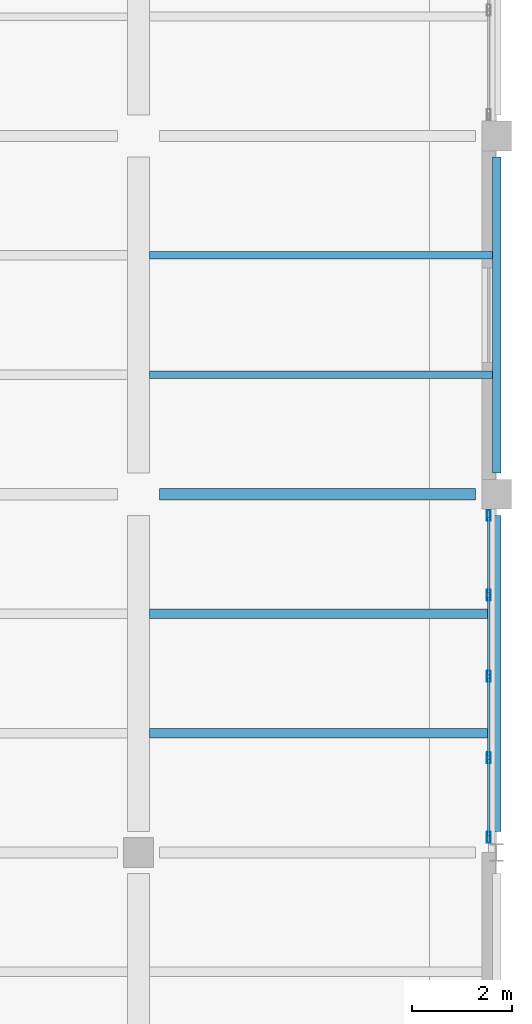
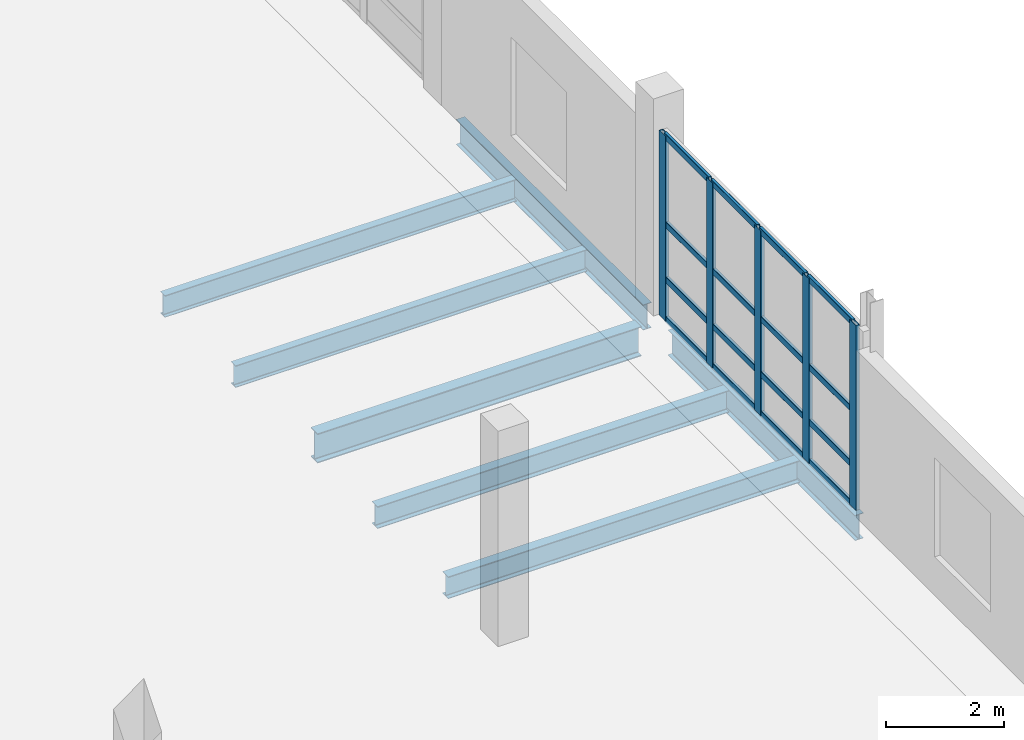
# One storey, part 63 of 123: 21 members, 7 beams, 1 element without a shape of its own.
"""IFC4 building model written with IfcOpenShell, lengths in metres."""

import ifcopenshell
import ifcopenshell.guid

model = None  # the IFC model being written
_history = None  # IfcOwnerHistory: only IFC2X3 demands one
_inside = {}  # id of a spatial element -> (the spatial element, [elements in it])
_under = {}  # id of a project, library or spatial element -> (it, [spatial elements below it])
_declared = {}  # id of a project -> (the project, [libraries it declares])
_typed = {}  # id of a type object -> (the type object, [elements of that type])
_made_of = {}  # id of a material, layer set ... -> (it, [elements and type objects made of it])


def new_model(schema):
    """Start an empty IFC model of exactly this schema.

    Asked for "IFC4X3", IfcOpenShell would pick the latest addendum, in which some entities
    have other attributes; the version numbers below select the first issue.
    IFC2X3 requires an IfcOwnerHistory on every rooted entity: one is made here for all.
    """
    global model, _history
    if schema == "IFC4X3":
        model = ifcopenshell.file(schema_version=(4, 3, 0, 0))
    else:
        model = ifcopenshell.file(schema=schema)
    _inside.clear()
    _under.clear()
    _declared.clear()
    _typed.clear()
    _made_of.clear()
    _history = None
    if model.schema == "IFC2X3":
        org = make("IfcOrganization", Name="unknown")
        user = make(
            "IfcPersonAndOrganization",
            ThePerson=make("IfcPerson", FamilyName="unknown"),
            TheOrganization=org,
        )
        app = make(
            "IfcApplication",
            ApplicationDeveloper=org,
            Version="unknown",
            ApplicationFullName="unknown",
            ApplicationIdentifier="unknown",
        )
        _history = make(
            "IfcOwnerHistory",
            OwningUser=user,
            OwningApplication=app,
            ChangeAction="ADDED",
            CreationDate=0,
        )
    return model


def make(cls, **values):
    """One entity of the class cls with the attributes given. An attribute that is None is left unset."""
    return model.create_entity(
        cls, **{name: value for name, value in values.items() if value is not None}
    )


def rooted(cls, **values):
    """An entity with a GlobalId (a new one), such as an element, a storey or a relation."""
    return make(cls, GlobalId=ifcopenshell.guid.new(), OwnerHistory=_history, **values)


def si_unit(unit_type, name, prefix=None):
    """IfcSIUnit, for example si_unit("LENGTHUNIT", "METRE", prefix="MILLI")."""
    return make("IfcSIUnit", UnitType=unit_type, Prefix=prefix, Name=name)


def assignment(units):
    """IfcUnitAssignment: the units of a project."""
    return None if units is None else make("IfcUnitAssignment", Units=units)


def point(xyz):
    """IfcCartesianPoint."""
    return None if xyz is None else make("IfcCartesianPoint", Coordinates=xyz)


def direction(xyz):
    """IfcDirection."""
    return None if xyz is None else make("IfcDirection", DirectionRatios=xyz)


def frame(location, z_axis=None, x_axis=None):
    """IfcAxis2Placement3D, a coordinate frame: its origin and axes. An axis left out is left unset."""
    return make(
        "IfcAxis2Placement3D",
        Location=point(location),
        Axis=direction(z_axis),
        RefDirection=direction(x_axis),
    )


def frame_2d(location, x_axis=None):
    """IfcAxis2Placement2D, a coordinate frame in the plane: its origin and x axis."""
    return make(
        "IfcAxis2Placement2D", Location=point(location), RefDirection=direction(x_axis)
    )


def origin():
    """The frame at (0, 0, 0) with its axes left unset."""
    return frame((0.0, 0.0, 0.0))


def origin_2d():
    """The frame at (0, 0) in the plane with its x axis left unset."""
    return frame_2d((0.0, 0.0))


def place(relative_to, where):
    """IfcLocalPlacement: puts the frame where relative to a parent placement (None: the world)."""
    return make(
        "IfcLocalPlacement", PlacementRelTo=relative_to, RelativePlacement=where
    )


def context(
    kind, dimensions, precision=None, world=None, true_north=None, identifier=None
):
    """IfcGeometricRepresentationContext, for example the 3D "Model" context."""
    return make(
        "IfcGeometricRepresentationContext",
        ContextIdentifier=identifier,
        ContextType=kind,
        CoordinateSpaceDimension=dimensions,
        Precision=precision,
        WorldCoordinateSystem=world,
        TrueNorth=true_north,
    )


def subcontext(parent, identifier, kind, view, scale=None):
    """IfcGeometricRepresentationSubContext, for example "Body" below "Model"."""
    return make(
        "IfcGeometricRepresentationSubContext",
        ContextIdentifier=identifier,
        ContextType=kind,
        ParentContext=parent,
        TargetScale=scale,
        TargetView=view,
    )


def project(units=None, contexts=None):
    """IfcProject with its units and contexts."""
    return rooted(
        "IfcProject",
        Name="project",
        RepresentationContexts=contexts,
        UnitsInContext=assignment(units),
    )


def spatial(cls, under=None, at=None, **own):
    """A site, building, storey or space (cls), placed at a placement, below another one or the project."""
    s = rooted(cls, ObjectPlacement=at, **own)
    if under is not None:
        _under.setdefault(under.id(), (under, []))[1].append(s)
    return s


def profile(cls, at=None, kind="AREA", **sizes):
    """A parametric profile (cls). Its sizes go by their IFC names, for example OverallWidth=200.0."""
    return make(cls, ProfileType=kind, Position=at, **sizes)


def hollow_rectangle(**sizes):
    """IfcRectangleHollowProfileDef."""
    return profile("IfcRectangleHollowProfileDef", **sizes)


def i_section(**sizes):
    """IfcIShapeProfileDef."""
    return profile("IfcIShapeProfileDef", **sizes)


def extrude(swept, where, along, depth):
    """IfcExtrudedAreaSolid: the profile swept, set in the frame where, extruded along a direction by depth."""
    return make(
        "IfcExtrudedAreaSolid",
        SweptArea=swept,
        Position=where,
        ExtrudedDirection=direction(along),
        Depth=depth,
    )


def shape(context_of_items, identifier, shape_type, items):
    """IfcShapeRepresentation: the items that make up one representation, for example the "Body"."""
    return make(
        "IfcShapeRepresentation",
        ContextOfItems=context_of_items,
        RepresentationIdentifier=identifier,
        RepresentationType=shape_type,
        Items=items,
    )


def material(Name=None, Category=None):
    """IfcMaterial."""
    return make("IfcMaterial", Name=Name, Category=Category)


def material_profile(
    of_material, cross_section, Name=None, Category=None, Priority=None
):
    """IfcMaterialProfile: a cross section and its material."""
    return make(
        "IfcMaterialProfile",
        Name=Name,
        Material=of_material,
        Profile=cross_section,
        Priority=Priority,
        Category=Category,
    )


def profile_set(profiles, Name=None, composite=None):
    """IfcMaterialProfileSet."""
    return make(
        "IfcMaterialProfileSet",
        Name=Name,
        MaterialProfiles=profiles,
        CompositeProfile=composite,
    )


def made_of(thing, what):
    """Note that an element or type object is made of a material, layer set ...; save() writes the relation."""
    if what is not None:
        _made_of.setdefault(what.id(), (what, []))[1].append(thing)
    return thing


def type_object(cls, material=None, **own):
    """A type object (cls), such as IfcWallType, which elements share."""
    return made_of(rooted(cls, **own), material)


def element(
    cls,
    number,
    at=None,
    inside=None,
    cuts=None,
    type_object=None,
    material=None,
    context=None,
    identifier="Body",
    shape_type=None,
    held_by="IfcProductDefinitionShape",
    body=None,
    shapes=None,
    **own,
):
    """One element of the class cls, such as IfcWall. Its Tag is "e" and its number.

    at: its placement. inside: the storey or other place that contains it. cuts: it is an
    opening in that element (IfcRelVoidsElement). A single representation is given by context,
    identifier, shape_type and body (its items); several are given by shapes. held_by: the class
    of the entity that holds the representations. save() writes the other relations.
    """
    e = rooted(cls, Tag="e%d" % number, ObjectPlacement=at, **own)
    if body is not None:
        shapes = [shape(context, identifier, shape_type, body)]
    if shapes is not None:
        e.Representation = make(held_by, Representations=shapes)
    if inside is not None:
        _inside.setdefault(inside.id(), (inside, []))[1].append(e)
    if cuts is not None:
        rooted(
            "IfcRelVoidsElement", RelatingBuildingElement=cuts, RelatedOpeningElement=e
        )
    if type_object is not None:
        _typed.setdefault(type_object.id(), (type_object, []))[1].append(e)
    return made_of(e, material)


def aggregate(whole, parts):
    """IfcRelAggregates: a whole, such as a stair, and the parts it consists of."""
    return rooted("IfcRelAggregates", RelatingObject=whole, RelatedObjects=parts)


def save(model, path):
    """Write the relations noted so far, then the file.

    IfcRelAggregates (storeys below a building ...), IfcRelContainedInSpatialStructure (elements
    in a storey), IfcRelDefinesByType, IfcRelAssociatesMaterial and IfcRelDeclares: one each for
    every whole, place, type object, material and project.
    """
    for whole, parts in _under.values():
        aggregate(whole, parts)
    for where, things in _inside.values():
        rooted(
            "IfcRelContainedInSpatialStructure",
            RelatedElements=things,
            RelatingStructure=where,
        )
    for kind, things in _typed.values():
        rooted("IfcRelDefinesByType", RelatedObjects=things, RelatingType=kind)
    for what, things in _made_of.values():
        rooted("IfcRelAssociatesMaterial", RelatedObjects=things, RelatingMaterial=what)
    for by, libraries in _declared.values():
        rooted("IfcRelDeclares", RelatingContext=by, RelatedDefinitions=libraries)
    model.write(path)


model = new_model("IFC4")

# Units and contexts
model_context = context("Model", 3, precision=1e-05, world=origin(), true_north=direction((0.0, 1.0)))
body_context = subcontext(model_context, "Body", "Model", "MODEL_VIEW")
ifc_project = project(units=[si_unit("LENGTHUNIT", "METRE"), si_unit("AREAUNIT", "SQUARE_METRE"), si_unit("VOLUMEUNIT", "CUBIC_METRE"), si_unit("PLANEANGLEUNIT", "RADIAN"), si_unit("MASSUNIT", "GRAM", prefix="KILO")], contexts=[model_context])

# Site, building, storey
site_placement = place(None, origin())
site = spatial("IfcSite", under=ifc_project, at=site_placement, CompositionType="ELEMENT")
building_placement = place(site_placement, origin())
building = spatial("IfcBuilding", under=site, at=building_placement, Name="Kalmorath City Hall", CompositionType="ELEMENT")
storey_placement = place(building_placement, frame((0.0, 0.0, 10.199951171875)))
storey = spatial("IfcBuildingStorey", under=building, at=storey_placement, Name="L02", CompositionType="ELEMENT", Elevation=10.199951171875)

# Curtain wall, members
ifc_material_1 = material(Name="Anodised aluminium and laminated glass", Category="aluminium")
curtain_wall_type = type_object("IfcCurtainWallType", Name="Unitised hurricane curtain wall 6544x3835 M1850", PredefinedType="NOTDEFINED", material=ifc_material_1)
curtain_wall_placement = place(storey_placement, origin())
curtain_wall = element("IfcCurtainWall", 1, at=curtain_wall_placement, inside=storey, type_object=curtain_wall_type, Name="L02 curtain wall CW-65X38M18 #120", PredefinedType="NOTDEFINED")
ifc_material_2 = material(Name="Anodised aluminium framing", Category="aluminium")
ifc_material_profile_1 = material_profile(ifc_material_2, hollow_rectangle(XDim=0.06005859375, YDim=0.1298828125, WallThickness=0.00341796875, InnerFilletRadius=0.00341796875, OuterFilletRadius=0.007080078125, at=origin_2d()), Name="ALU-TRN-130X60X3.5")
ifc_profile_set_1 = profile_set([ifc_material_profile_1], Name="Anodised aluminium framing")
member_type_1 = type_object("IfcMemberType", Name="Curtain-wall courtyard transom 130x60", PredefinedType="USERDEFINED", material=ifc_profile_set_1)
member_1_placement = place(storey_placement, frame((165.43994140625, 57.135009765625, 0.030029296875), z_axis=(0.0, -1.0, 0.0), x_axis=(1.0, 0.0, 0.0)))
member_1 = element("IfcMember", 2, at=member_1_placement, type_object=member_type_1, Name="CW-65X38M18 transom 1.1", ObjectType="TRANSOM", PredefinedType="USERDEFINED", context=body_context, shape_type="SweptSolid", body=[
    extrude(hollow_rectangle(XDim=0.06005859375, YDim=0.1298828125, WallThickness=0.00341796875, InnerFilletRadius=0.00341796875, OuterFilletRadius=0.007080078125, at=origin_2d()), origin(), (0.0, 0.0, 1.0), 1.5234375),
])
member_2_placement = place(storey_placement, frame((165.43994140625, 57.135009765625, 0.85009765625), z_axis=(0.0, -1.0, 0.0), x_axis=(1.0, 0.0, 0.0)))
member_2 = element("IfcMember", 3, at=member_2_placement, type_object=member_type_1, Name="CW-65X38M18 transom 1.2", ObjectType="TRANSOM", PredefinedType="USERDEFINED", context=body_context, shape_type="SweptSolid", body=[
    extrude(hollow_rectangle(XDim=0.06005859375, YDim=0.1298828125, WallThickness=0.00341796875, InnerFilletRadius=0.00341796875, OuterFilletRadius=0.007080078125, at=origin_2d()), origin(), (0.0, 0.0, 1.0), 1.5234375),
])
member_3_placement = place(storey_placement, frame((165.43994140625, 57.135009765625, 1.994140625), z_axis=(0.0, -1.0, 0.0), x_axis=(1.0, 0.0, 0.0)))
member_3 = element("IfcMember", 4, at=member_3_placement, type_object=member_type_1, Name="CW-65X38M18 transom 1.3", ObjectType="TRANSOM", PredefinedType="USERDEFINED", context=body_context, shape_type="SweptSolid", body=[
    extrude(hollow_rectangle(XDim=0.06005859375, YDim=0.1298828125, WallThickness=0.00341796875, InnerFilletRadius=0.00341796875, OuterFilletRadius=0.007080078125, at=origin_2d()), origin(), (0.0, 0.0, 1.0), 1.5234375),
])
member_4_placement = place(storey_placement, frame((165.43994140625, 57.135009765625, 3.804931640625), z_axis=(0.0, -1.0, 0.0), x_axis=(1.0, 0.0, 0.0)))
member_4 = element("IfcMember", 5, at=member_4_placement, type_object=member_type_1, Name="CW-65X38M18 transom 1.4", ObjectType="TRANSOM", PredefinedType="USERDEFINED", context=body_context, shape_type="SweptSolid", body=[
    extrude(hollow_rectangle(XDim=0.06005859375, YDim=0.1298828125, WallThickness=0.00341796875, InnerFilletRadius=0.00341796875, OuterFilletRadius=0.007080078125, at=origin_2d()), origin(), (0.0, 0.0, 1.0), 1.5234375),
])
member_5_placement = place(storey_placement, frame((165.43994140625, 55.53662109375, 0.030029296875), z_axis=(0.0, -1.0, 0.0), x_axis=(1.0, 0.0, 0.0)))
member_5 = element("IfcMember", 6, at=member_5_placement, type_object=member_type_1, Name="CW-65X38M18 transom 2.1", ObjectType="TRANSOM", PredefinedType="USERDEFINED", context=body_context, shape_type="SweptSolid", body=[
    extrude(hollow_rectangle(XDim=0.06005859375, YDim=0.1298828125, WallThickness=0.00341796875, InnerFilletRadius=0.00341796875, OuterFilletRadius=0.007080078125, at=origin_2d()), origin(), (0.0, 0.0, 1.0), 1.560791015625),
])
member_6_placement = place(storey_placement, frame((165.43994140625, 55.53662109375, 0.85009765625), z_axis=(0.0, -1.0, 0.0), x_axis=(1.0, 0.0, 0.0)))
member_6 = element("IfcMember", 7, at=member_6_placement, type_object=member_type_1, Name="CW-65X38M18 transom 2.2", ObjectType="TRANSOM", PredefinedType="USERDEFINED", context=body_context, shape_type="SweptSolid", body=[
    extrude(hollow_rectangle(XDim=0.06005859375, YDim=0.1298828125, WallThickness=0.00341796875, InnerFilletRadius=0.00341796875, OuterFilletRadius=0.007080078125, at=origin_2d()), origin(), (0.0, 0.0, 1.0), 1.560791015625),
])
member_7_placement = place(storey_placement, frame((165.43994140625, 55.53662109375, 1.994140625), z_axis=(0.0, -1.0, 0.0), x_axis=(1.0, 0.0, 0.0)))
member_7 = element("IfcMember", 8, at=member_7_placement, type_object=member_type_1, Name="CW-65X38M18 transom 2.3", ObjectType="TRANSOM", PredefinedType="USERDEFINED", context=body_context, shape_type="SweptSolid", body=[
    extrude(hollow_rectangle(XDim=0.06005859375, YDim=0.1298828125, WallThickness=0.00341796875, InnerFilletRadius=0.00341796875, OuterFilletRadius=0.007080078125, at=origin_2d()), origin(), (0.0, 0.0, 1.0), 1.560791015625),
])
member_8_placement = place(storey_placement, frame((165.43994140625, 55.53662109375, 3.804931640625), z_axis=(0.0, -1.0, 0.0), x_axis=(1.0, 0.0, 0.0)))
member_8 = element("IfcMember", 9, at=member_8_placement, type_object=member_type_1, Name="CW-65X38M18 transom 2.4", ObjectType="TRANSOM", PredefinedType="USERDEFINED", context=body_context, shape_type="SweptSolid", body=[
    extrude(hollow_rectangle(XDim=0.06005859375, YDim=0.1298828125, WallThickness=0.00341796875, InnerFilletRadius=0.00341796875, OuterFilletRadius=0.007080078125, at=origin_2d()), origin(), (0.0, 0.0, 1.0), 1.560791015625),
])
member_9_placement = place(storey_placement, frame((165.43994140625, 53.900634765625, 0.030029296875), z_axis=(0.0, -1.0, 0.0), x_axis=(1.0, 0.0, 0.0)))
member_9 = element("IfcMember", 10, at=member_9_placement, type_object=member_type_1, Name="CW-65X38M18 transom 3.1", ObjectType="TRANSOM", PredefinedType="USERDEFINED", context=body_context, shape_type="SweptSolid", body=[
    extrude(hollow_rectangle(XDim=0.06005859375, YDim=0.1298828125, WallThickness=0.00341796875, InnerFilletRadius=0.00341796875, OuterFilletRadius=0.007080078125, at=origin_2d()), origin(), (0.0, 0.0, 1.0), 1.560791015625),
])
member_10_placement = place(storey_placement, frame((165.43994140625, 53.900634765625, 0.85009765625), z_axis=(0.0, -1.0, 0.0), x_axis=(1.0, 0.0, 0.0)))
member_10 = element("IfcMember", 11, at=member_10_placement, type_object=member_type_1, Name="CW-65X38M18 transom 3.2", ObjectType="TRANSOM", PredefinedType="USERDEFINED", context=body_context, shape_type="SweptSolid", body=[
    extrude(hollow_rectangle(XDim=0.06005859375, YDim=0.1298828125, WallThickness=0.00341796875, InnerFilletRadius=0.00341796875, OuterFilletRadius=0.007080078125, at=origin_2d()), origin(), (0.0, 0.0, 1.0), 1.560791015625),
])
member_11_placement = place(storey_placement, frame((165.43994140625, 53.900634765625, 1.994140625), z_axis=(0.0, -1.0, 0.0), x_axis=(1.0, 0.0, 0.0)))
member_11 = element("IfcMember", 12, at=member_11_placement, type_object=member_type_1, Name="CW-65X38M18 transom 3.3", ObjectType="TRANSOM", PredefinedType="USERDEFINED", context=body_context, shape_type="SweptSolid", body=[
    extrude(hollow_rectangle(XDim=0.06005859375, YDim=0.1298828125, WallThickness=0.00341796875, InnerFilletRadius=0.00341796875, OuterFilletRadius=0.007080078125, at=origin_2d()), origin(), (0.0, 0.0, 1.0), 1.560791015625),
])
member_12_placement = place(storey_placement, frame((165.43994140625, 53.900634765625, 3.804931640625), z_axis=(0.0, -1.0, 0.0), x_axis=(1.0, 0.0, 0.0)))
member_12 = element("IfcMember", 13, at=member_12_placement, type_object=member_type_1, Name="CW-65X38M18 transom 3.4", ObjectType="TRANSOM", PredefinedType="USERDEFINED", context=body_context, shape_type="SweptSolid", body=[
    extrude(hollow_rectangle(XDim=0.06005859375, YDim=0.1298828125, WallThickness=0.00341796875, InnerFilletRadius=0.00341796875, OuterFilletRadius=0.007080078125, at=origin_2d()), origin(), (0.0, 0.0, 1.0), 1.560791015625),
])
member_13_placement = place(storey_placement, frame((165.43994140625, 52.264892578125, 0.030029296875), z_axis=(0.0, -1.0, 0.0), x_axis=(1.0, 0.0, 0.0)))
member_13 = element("IfcMember", 14, at=member_13_placement, type_object=member_type_1, Name="CW-65X38M18 transom 4.1", ObjectType="TRANSOM", PredefinedType="USERDEFINED", context=body_context, shape_type="SweptSolid", body=[
    extrude(hollow_rectangle(XDim=0.06005859375, YDim=0.1298828125, WallThickness=0.00341796875, InnerFilletRadius=0.00341796875, OuterFilletRadius=0.007080078125, at=origin_2d()), origin(), (0.0, 0.0, 1.0), 1.5234375),
])
member_14_placement = place(storey_placement, frame((165.43994140625, 52.264892578125, 0.85009765625), z_axis=(0.0, -1.0, 0.0), x_axis=(1.0, 0.0, 0.0)))
member_14 = element("IfcMember", 15, at=member_14_placement, type_object=member_type_1, Name="CW-65X38M18 transom 4.2", ObjectType="TRANSOM", PredefinedType="USERDEFINED", context=body_context, shape_type="SweptSolid", body=[
    extrude(hollow_rectangle(XDim=0.06005859375, YDim=0.1298828125, WallThickness=0.00341796875, InnerFilletRadius=0.00341796875, OuterFilletRadius=0.007080078125, at=origin_2d()), origin(), (0.0, 0.0, 1.0), 1.5234375),
])
member_15_placement = place(storey_placement, frame((165.43994140625, 52.264892578125, 1.994140625), z_axis=(0.0, -1.0, 0.0), x_axis=(1.0, 0.0, 0.0)))
member_15 = element("IfcMember", 16, at=member_15_placement, type_object=member_type_1, Name="CW-65X38M18 transom 4.3", ObjectType="TRANSOM", PredefinedType="USERDEFINED", context=body_context, shape_type="SweptSolid", body=[
    extrude(hollow_rectangle(XDim=0.06005859375, YDim=0.1298828125, WallThickness=0.00341796875, InnerFilletRadius=0.00341796875, OuterFilletRadius=0.007080078125, at=origin_2d()), origin(), (0.0, 0.0, 1.0), 1.5234375),
])
member_16_placement = place(storey_placement, frame((165.43994140625, 52.264892578125, 3.804931640625), z_axis=(0.0, -1.0, 0.0), x_axis=(1.0, 0.0, 0.0)))
member_16 = element("IfcMember", 17, at=member_16_placement, type_object=member_type_1, Name="CW-65X38M18 transom 4.4", ObjectType="TRANSOM", PredefinedType="USERDEFINED", context=body_context, shape_type="SweptSolid", body=[
    extrude(hollow_rectangle(XDim=0.06005859375, YDim=0.1298828125, WallThickness=0.00341796875, InnerFilletRadius=0.00341796875, OuterFilletRadius=0.007080078125, at=origin_2d()), origin(), (0.0, 0.0, 1.0), 1.5234375),
])
ifc_material_3 = material(Name="Anodised aluminium framing", Category="aluminium")
ifc_material_profile_2 = material_profile(ifc_material_3, hollow_rectangle(XDim=0.074951171875, YDim=0.219970703125, WallThickness=0.00390625, InnerFilletRadius=0.00390625, OuterFilletRadius=0.008056640625, at=origin_2d()), Name="ALU-MUL-220X75X4")
ifc_profile_set_2 = profile_set([ifc_material_profile_2], Name="Anodised aluminium framing")
member_type_2 = type_object("IfcMemberType", Name="Curtain-wall primary mullion 220x75", PredefinedType="MULLION", material=ifc_profile_set_2)
member_17_placement = place(storey_placement, frame((165.43994140625, 57.172607421875, 0.0), z_axis=(0.0, 0.0, 1.0), x_axis=(1.0, 0.0, 0.0)))
member_17 = element("IfcMember", 18, at=member_17_placement, type_object=member_type_2, Name="CW-65X38M18 mullion 1", PredefinedType="MULLION", context=body_context, shape_type="SweptSolid", body=[
    extrude(hollow_rectangle(XDim=0.074951171875, YDim=0.219970703125, WallThickness=0.00390625, InnerFilletRadius=0.00390625, OuterFilletRadius=0.008056640625, at=origin_2d()), origin(), (0.0, 0.0, 1.0), 3.8349609375),
])
member_18_placement = place(storey_placement, frame((165.43994140625, 55.57421875, 0.0), z_axis=(0.0, 0.0, 1.0), x_axis=(1.0, 0.0, 0.0)))
member_18 = element("IfcMember", 19, at=member_18_placement, type_object=member_type_2, Name="CW-65X38M18 mullion 2", PredefinedType="MULLION", context=body_context, shape_type="SweptSolid", body=[
    extrude(hollow_rectangle(XDim=0.074951171875, YDim=0.219970703125, WallThickness=0.00390625, InnerFilletRadius=0.00390625, OuterFilletRadius=0.008056640625, at=origin_2d()), origin(), (0.0, 0.0, 1.0), 3.8349609375),
])
member_19_placement = place(storey_placement, frame((165.43994140625, 53.938232421875, 0.0), z_axis=(0.0, 0.0, 1.0), x_axis=(1.0, 0.0, 0.0)))
member_19 = element("IfcMember", 20, at=member_19_placement, type_object=member_type_2, Name="CW-65X38M18 mullion 3", PredefinedType="MULLION", context=body_context, shape_type="SweptSolid", body=[
    extrude(hollow_rectangle(XDim=0.074951171875, YDim=0.219970703125, WallThickness=0.00390625, InnerFilletRadius=0.00390625, OuterFilletRadius=0.008056640625, at=origin_2d()), origin(), (0.0, 0.0, 1.0), 3.8349609375),
])
member_20_placement = place(storey_placement, frame((165.43994140625, 52.302490234375, 0.0), z_axis=(0.0, 0.0, 1.0), x_axis=(1.0, 0.0, 0.0)))
member_20 = element("IfcMember", 21, at=member_20_placement, type_object=member_type_2, Name="CW-65X38M18 mullion 4", PredefinedType="MULLION", context=body_context, shape_type="SweptSolid", body=[
    extrude(hollow_rectangle(XDim=0.074951171875, YDim=0.219970703125, WallThickness=0.00390625, InnerFilletRadius=0.00390625, OuterFilletRadius=0.008056640625, at=origin_2d()), origin(), (0.0, 0.0, 1.0), 3.8349609375),
])
member_21_placement = place(storey_placement, frame((165.43994140625, 50.7041015625, 0.0), z_axis=(0.0, 0.0, 1.0), x_axis=(1.0, 0.0, 0.0)))
member_21 = element("IfcMember", 22, at=member_21_placement, type_object=member_type_2, Name="CW-65X38M18 mullion 5", PredefinedType="MULLION", context=body_context, shape_type="SweptSolid", body=[
    extrude(hollow_rectangle(XDim=0.074951171875, YDim=0.219970703125, WallThickness=0.00390625, InnerFilletRadius=0.00390625, OuterFilletRadius=0.008056640625, at=origin_2d()), origin(), (0.0, 0.0, 1.0), 3.8349609375),
])
aggregate(curtain_wall, [member_17, member_18, member_19, member_20, member_21, member_1, member_2, member_3, member_4, member_5, member_6, member_7, member_8, member_9, member_10, member_11, member_12, member_13, member_14, member_15, member_16])

# Beams
ifc_material_4 = material(Name="Steel ASTM A992 Grade 50", Category="steel")
ifc_material_profile_3 = material_profile(ifc_material_4, i_section(OverallWidth=0.153076171875, OverallDepth=0.455078125, WebThickness=0.008056640625, FlangeThickness=0.01318359375, FilletRadius=0.013916015625, at=origin_2d()), Name="W18X40")
ifc_profile_set_3 = profile_set([ifc_material_profile_3], Name="Steel ASTM A992 Grade 50")
beam_type_1 = type_object("IfcBeamType", Name="Steel composite joist W18X40", PredefinedType="JOIST", material=ifc_profile_set_3)
for number, where, z_axis, x_axis, name in (
    (23, (158.625, 60.0, -0.511474609375), (1.0, 0.0, 0.0), (0.0, 1.0, 0.0), "L02 joist SJ4 23.9.1"),
    (24, (158.625, 62.39990234375, -0.511474609375), (1.0, 0.0, 0.0), (0.0, 1.0, 0.0), "L02 joist SJ4 23.9.2"),
):
    element("IfcBeam", number, at=place(storey_placement, frame(where, z_axis=z_axis, x_axis=x_axis)), inside=storey, type_object=beam_type_1, Name=name, PredefinedType="JOIST", context=body_context, shape_type="SweptSolid", body=[
        extrude(i_section(OverallWidth=0.153076171875, OverallDepth=0.455078125, WebThickness=0.008056640625, FlangeThickness=0.01318359375, FilletRadius=0.013916015625, at=origin_2d()), origin(), (0.0, 0.0, 1.0), 6.892578125),
    ])
ifc_material_5 = material(Name="Steel ASTM A992 Grade 50", Category="steel")
ifc_material_profile_4 = material_profile(ifc_material_5, i_section(OverallWidth=0.19091796875, OverallDepth=0.45703125, WebThickness=0.009033203125, FlangeThickness=0.014404296875, FilletRadius=0.013916015625, at=origin_2d()), Name="W18X50")
ifc_profile_set_4 = profile_set([ifc_material_profile_4], Name="Steel ASTM A992 Grade 50")
beam_type_2 = type_object("IfcBeamType", Name="Steel composite joist W18X50", PredefinedType="JOIST", material=ifc_profile_set_4)
for number, where, z_axis, x_axis, name in (
    (25, (158.625, 52.800048828125, -0.512451171875), (1.0, 0.0, 0.0), (0.0, 1.0, 0.0), "L02 joist SJ3 23.8.1"),
    (26, (158.625, 55.199951171875, -0.512451171875), (1.0, 0.0, 0.0), (0.0, 1.0, 0.0), "L02 joist SJ3 23.8.2"),
):
    element("IfcBeam", number, at=place(storey_placement, frame(where, z_axis=z_axis, x_axis=x_axis)), inside=storey, type_object=beam_type_2, Name=name, PredefinedType="JOIST", context=body_context, shape_type="SweptSolid", body=[
        extrude(i_section(OverallWidth=0.19091796875, OverallDepth=0.45703125, WebThickness=0.009033203125, FlangeThickness=0.014404296875, FilletRadius=0.013916015625, at=origin_2d()), origin(), (0.0, 0.0, 1.0), 6.892578125),
    ])
ifc_material_6 = material(Name="Steel ASTM A992 Grade 50", Category="steel")
ifc_material_profile_5 = material_profile(ifc_material_6, i_section(OverallWidth=0.22900390625, OverallDepth=0.612060546875, WebThickness=0.011962890625, FlangeThickness=0.01953125, FilletRadius=0.01611328125, at=origin_2d()), Name="W24X84")
ifc_profile_set_5 = profile_set([ifc_material_profile_5], Name="Steel ASTM A992 Grade 50")
beam_type_3 = type_object("IfcBeamType", Name="Steel floor girder W24X84", PredefinedType="BEAM", material=ifc_profile_set_5)
beam_placement = place(storey_placement, frame((158.824951171875, 57.60009765625, -0.58984375), z_axis=(1.0, 0.0, 0.0), x_axis=(0.0, 1.0, 0.0)))
element("IfcBeam", 27, at=beam_placement, inside=storey, type_object=beam_type_3, Name="L02 girder SG8 X23-24/9", PredefinedType="BEAM", context=body_context, shape_type="SweptSolid", body=[
    extrude(i_section(OverallWidth=0.22900390625, OverallDepth=0.612060546875, WebThickness=0.011962890625, FlangeThickness=0.01953125, FilletRadius=0.01611328125, at=origin_2d()), origin(), (0.0, 0.0, 1.0), 6.35009765625),
])
ifc_material_7 = material(Name="Steel ASTM A992 Grade 50", Category="steel")
ifc_material_profile_6 = material_profile(ifc_material_7, i_section(OverallWidth=0.1650390625, OverallDepth=0.52490234375, WebThickness=0.0087890625, FlangeThickness=0.011474609375, FilletRadius=0.014892578125, at=origin_2d()), Name="W21X44")
ifc_profile_set_6 = profile_set([ifc_material_profile_6], Name="Steel ASTM A992 Grade 50")
beam_type_4 = type_object("IfcBeamType", Name="Steel spandrel beam W21X44", PredefinedType="SPANDREL", material=ifc_profile_set_6)
for number, where, z_axis, x_axis, name in (
    (28, (165.60009765625, 50.824951171875, -0.54638671875), (0.0, 1.0, 0.0), (-1.0, 0.0, 0.0), "L02 girder SB4 Y24/8-9"),
    (29, (165.60009765625, 58.02490234375, -0.54638671875), (0.0, 1.0, 0.0), (-1.0, 0.0, 0.0), "L02 girder SB4 Y24/9-10"),
):
    element("IfcBeam", number, at=place(storey_placement, frame(where, z_axis=z_axis, x_axis=x_axis)), inside=storey, type_object=beam_type_4, Name=name, PredefinedType="SPANDREL", context=body_context, shape_type="SweptSolid", body=[
        extrude(i_section(OverallWidth=0.1650390625, OverallDepth=0.52490234375, WebThickness=0.0087890625, FlangeThickness=0.011474609375, FilletRadius=0.014892578125, at=origin_2d()), origin(), (0.0, 0.0, 1.0), 6.35009765625),
    ])

save(model, "model.ifc")
